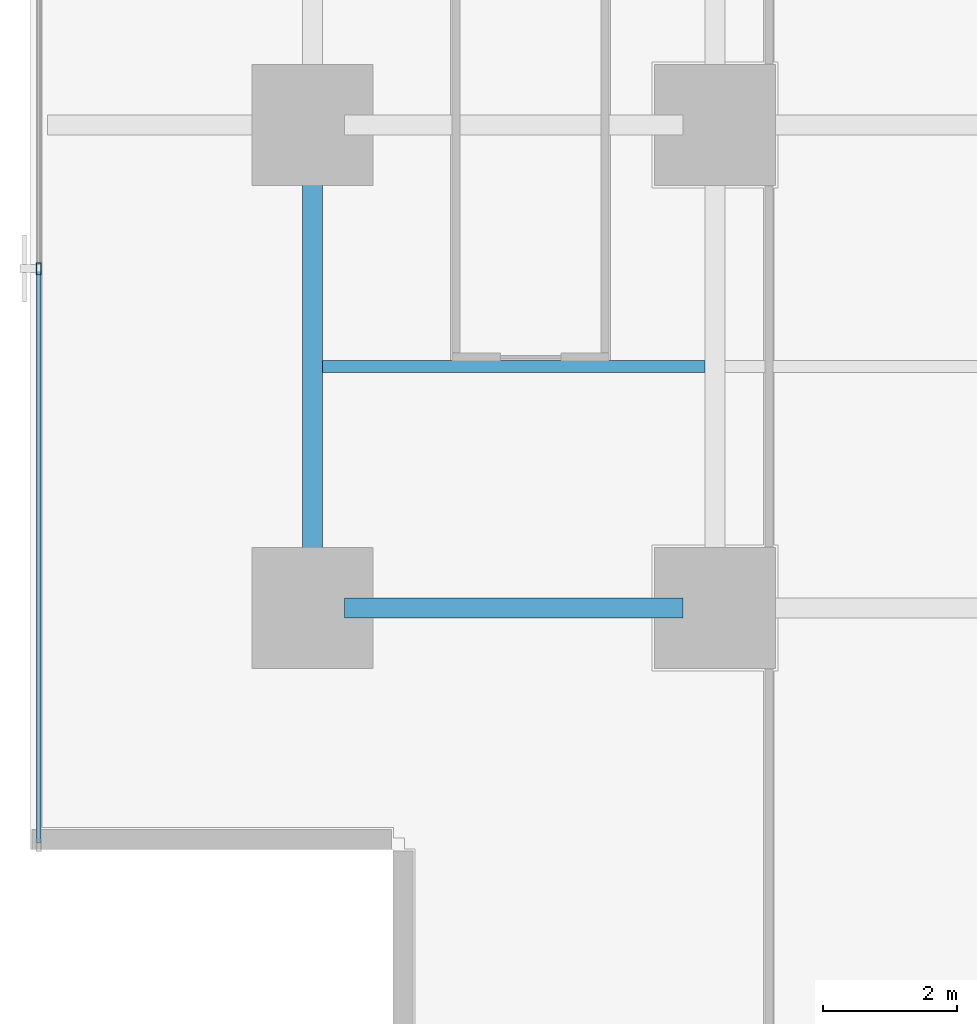
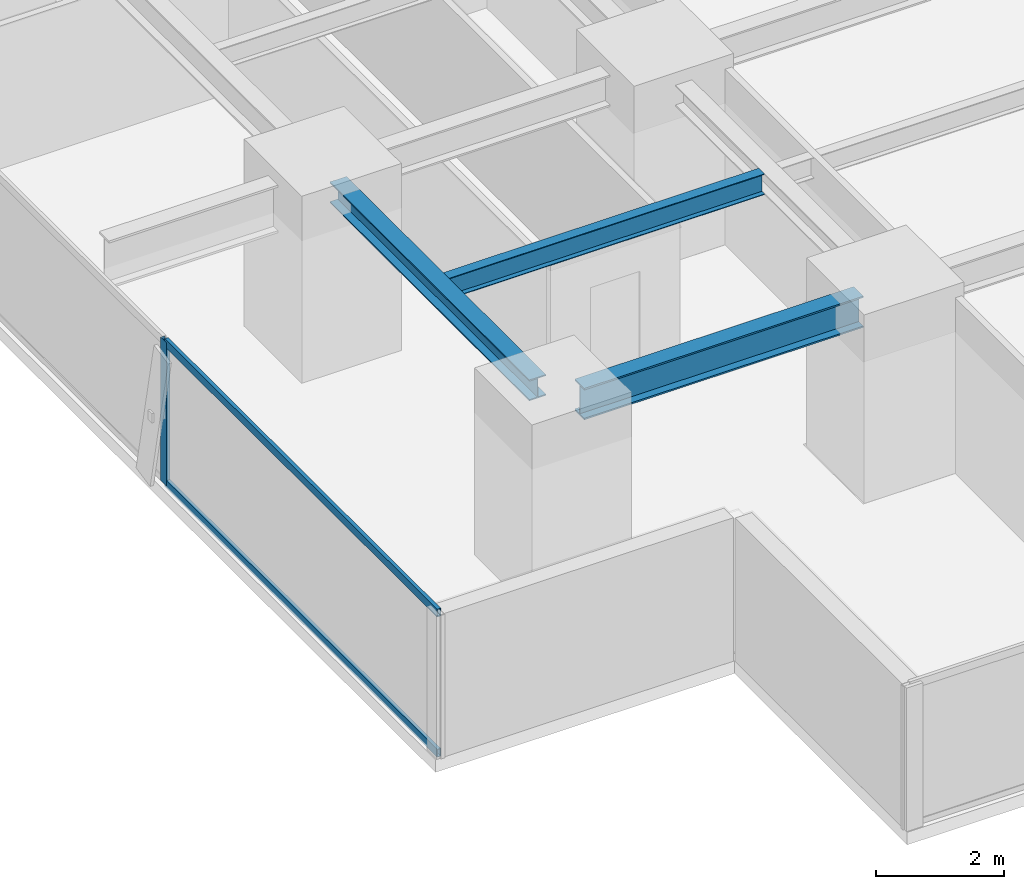
# One storey, part 3 of 33: 3 beams, 3 members, 1 element without a shape of its own.
"""IFC4 building model written with IfcOpenShell, lengths in metres."""

from ifc_helpers import new_model, si_unit, direction, frame, origin, origin_2d, place, context, subcontext, project, spatial, hollow_rectangle, i_section, extrude, source, transform, mapped, material, layer, layer_set, material_profile, profile_set, type_object, element, aggregate, save


model = new_model("IFC4")

# Units and contexts
model_context = context("Model", 3, precision=1e-05, world=origin(), true_north=direction((0.0, 1.0)))
body_context = subcontext(model_context, "Body", "Model", "MODEL_VIEW")
ifc_project = project(units=[si_unit("LENGTHUNIT", "METRE"), si_unit("AREAUNIT", "SQUARE_METRE"), si_unit("VOLUMEUNIT", "CUBIC_METRE"), si_unit("PLANEANGLEUNIT", "RADIAN"), si_unit("MASSUNIT", "GRAM", prefix="KILO")], contexts=[model_context])

# Site, building, storey
site_placement = place(None, origin())
site = spatial("IfcSite", under=ifc_project, at=site_placement, CompositionType="ELEMENT")
building_placement = place(site_placement, origin())
building = spatial("IfcBuilding", under=site, at=building_placement, Name="Sumidabori Civic Tower", CompositionType="ELEMENT")
storey_placement = place(building_placement, frame((0.0, 0.0, 27.199951171875)))
storey = spatial("IfcBuildingStorey", under=building, at=storey_placement, Name="L06", CompositionType="ELEMENT", Elevation=27.199951171875)

# Beams
ifc_material_1 = material(Name="Steel SN490", Category="steel")
ifc_material_profile_1 = material_profile(ifc_material_1, i_section(OverallWidth=0.300048828125, OverallDepth=0.60009765625, WebThickness=0.015380859375, FlangeThickness=0.030029296875, at=origin_2d()), Name="HE 600 B")
ifc_profile_set_1 = profile_set([ifc_material_profile_1], Name="Steel SN490")
beam_type_1 = type_object("IfcBeamType", Name="BM-GIRD-600", PredefinedType="BEAM", material=ifc_profile_set_1)
shared_shape_1 = source(origin(), body_context, "Body", "SweptSolid", [
    extrude(i_section(OverallWidth=0.300048828125, OverallDepth=0.60009765625, WebThickness=0.015380859375, FlangeThickness=0.030029296875, at=origin_2d()), origin(), (0.0, 0.0, 1.0), 5.0400390625),
])
beam_1_placement = place(storey_placement, frame((-22.320068359375, -18.0, 3.06005859375), z_axis=(1.0, 0.0, 0.0), x_axis=(0.0, 1.0, 0.0)))
element("IfcBeam", 1, at=beam_1_placement, inside=storey, type_object=beam_type_1, Name="Primary Girder L06 GX-01", PredefinedType="BEAM", context=body_context, shape_type="MappedRepresentation", body=[
    mapped(shared_shape_1, transform((0.0, 0.0, 0.0), x_axis=(1.0, 0.0, 0.0), y_axis=(0.0, 1.0, 0.0), z_axis=(0.0, 0.0, 1.0), scale=1.0)),
])
ifc_material_profile_2 = material_profile(ifc_material_1, i_section(OverallWidth=0.300048828125, OverallDepth=0.39990234375, WebThickness=0.013427734375, FlangeThickness=0.02392578125, at=origin_2d()), Name="HE 400 B")
ifc_profile_set_2 = profile_set([ifc_material_profile_2], Name="Steel SN490")
beam_type_2 = type_object("IfcBeamType", Name="BM-GIRD-400", PredefinedType="BEAM", material=ifc_profile_set_2)
shared_shape_2 = source(origin(), body_context, "Body", "SweptSolid", [
    extrude(i_section(OverallWidth=0.300048828125, OverallDepth=0.39990234375, WebThickness=0.013427734375, FlangeThickness=0.02392578125, at=origin_2d()), origin(), (0.0, 0.0, 1.0), 6.239990234375),
])
beam_2_placement = place(storey_placement, frame((-22.800048828125, -17.52001953125, 3.16015625), z_axis=(0.0, 1.0, 0.0), x_axis=(-1.0, 0.0, 0.0)))
element("IfcBeam", 2, at=beam_2_placement, inside=storey, type_object=beam_type_2, Name="Primary Girder L06 GY-21", PredefinedType="BEAM", context=body_context, shape_type="MappedRepresentation", body=[
    mapped(shared_shape_2, transform((0.0, 0.0, 0.0), x_axis=(1.0, 0.0, 0.0), y_axis=(0.0, 1.0, 0.0), z_axis=(0.0, 0.0, 1.0), scale=1.0)),
])
ifc_material_profile_3 = material_profile(ifc_material_1, i_section(OverallWidth=0.179931640625, OverallDepth=0.39990234375, WebThickness=0.008544921875, FlangeThickness=0.013427734375, at=origin_2d()), Name="IPE 400")
ifc_profile_set_3 = profile_set([ifc_material_profile_3], Name="Steel SN490")
beam_type_3 = type_object("IfcBeamType", Name="BM-JST-400", PredefinedType="JOIST", material=ifc_profile_set_3)
shared_shape_3 = source(origin(), body_context, "Body", "SweptSolid", [
    extrude(i_section(OverallWidth=0.179931640625, OverallDepth=0.39990234375, WebThickness=0.008544921875, FlangeThickness=0.013427734375, at=origin_2d()), origin(), (0.0, 0.0, 1.0), 5.699951171875),
])
beam_3_placement = place(storey_placement, frame((-22.64990234375, -14.39990234375, 3.16015625), z_axis=(1.0, 0.0, 0.0), x_axis=(0.0, 1.0, 0.0)))
element("IfcBeam", 3, at=beam_3_placement, inside=storey, type_object=beam_type_3, Name="Outer Bay Floor Joist L06 JSTO-57", PredefinedType="JOIST", context=body_context, shape_type="MappedRepresentation", body=[
    mapped(shared_shape_3, transform((0.0, 0.0, 0.0), x_axis=(1.0, 0.0, 0.0), y_axis=(0.0, 1.0, 0.0), z_axis=(0.0, 0.0, 1.0), scale=1.0)),
])

# Curtain wall, members
ifc_material_2 = material(Name="Anodised Bronze Aluminium AW-6063-T6", Category="aluminium")
ifc_layer = layer(ifc_material_2, 0.179931640625, Name="Anodised Bronze Aluminium AW-6063-T6")
ifc_layer_set = layer_set([ifc_layer], Name="Anodised Bronze Aluminium AW-6063-T6")
curtain_wall_type = type_object("IfcCurtainWallType", Name="CW-SYS-2", PredefinedType="NOTDEFINED", material=ifc_layer_set)
curtain_wall_placement = place(storey_placement, origin())
curtain_wall = element("IfcCurtainWall", 4, at=curtain_wall_placement, inside=storey, type_object=curtain_wall_type, Name="Curtain Wall CW:L06:R10", PredefinedType="NOTDEFINED")
ifc_material_profile_4 = material_profile(ifc_material_2, hollow_rectangle(XDim=0.070068359375, YDim=0.179931640625, WallThickness=0.006103515625, at=origin_2d()), Name="ALU MULLION 180x70")
ifc_profile_set_4 = profile_set([ifc_material_profile_4], Name="Anodised Bronze Aluminium AW-6063-T6")
member_type_1 = type_object("IfcMemberType", Name="CW-MUL-180", PredefinedType="MULLION", material=ifc_profile_set_4)
shared_shape_4 = source(origin(), body_context, "Body", "SweptSolid", [
    extrude(hollow_rectangle(XDim=0.070068359375, YDim=0.179931640625, WallThickness=0.006103515625, at=origin_2d()), origin(), (0.0, 0.0, 1.0), 2.739990234375),
])
member_1_placement = place(storey_placement, frame((-26.8798828125, -12.94189453125, 0.0), z_axis=(0.0, 0.0, 1.0), x_axis=(1.0, 0.0, 0.0)))
member_1 = element("IfcMember", 5, at=member_1_placement, type_object=member_type_1, Name="CW-2 mullion 5", PredefinedType="MULLION", context=body_context, shape_type="MappedRepresentation", body=[
    mapped(shared_shape_4, transform((0.0, 0.0, 0.0), x_axis=(1.0, 0.0, 0.0), y_axis=(0.0, 1.0, 0.0), z_axis=(0.0, 0.0, 1.0), scale=1.0)),
])
ifc_material_profile_5 = material_profile(ifc_material_2, hollow_rectangle(XDim=0.06494140625, YDim=0.14990234375, WallThickness=0.0048828125, at=origin_2d()), Name="ALU TRANSOM 150x65")
ifc_profile_set_5 = profile_set([ifc_material_profile_5], Name="Anodised Bronze Aluminium AW-6063-T6")
member_type_2 = type_object("IfcMemberType", Name="CW-TRN-150", PredefinedType="USERDEFINED", material=ifc_profile_set_5)
shared_shape_5 = source(origin(), body_context, "Body", "SweptSolid", [
    extrude(hollow_rectangle(XDim=0.06494140625, YDim=0.14990234375, WallThickness=0.0048828125, at=origin_2d()), origin(), (0.0, 0.0, 1.0), 8.52294921875),
])
member_2_placement = place(storey_placement, frame((-26.8798828125, -12.97705078125, 0.032470703125), z_axis=(0.0, -1.0, 0.0), x_axis=(1.0, 0.0, 0.0)))
member_2 = element("IfcMember", 6, at=member_2_placement, type_object=member_type_2, Name="CW-2 transom 5.1", ObjectType="TRANSOM", PredefinedType="USERDEFINED", context=body_context, shape_type="MappedRepresentation", body=[
    mapped(shared_shape_5, transform((0.0, 0.0, 0.0), x_axis=(1.0, 0.0, 0.0), y_axis=(0.0, 1.0, 0.0), z_axis=(0.0, 0.0, 1.0), scale=1.0)),
])
member_3_placement = place(storey_placement, frame((-26.8798828125, -12.97705078125, 2.70751953125), z_axis=(0.0, -1.0, 0.0), x_axis=(1.0, 0.0, 0.0)))
member_3 = element("IfcMember", 7, at=member_3_placement, type_object=member_type_2, Name="CW-2 transom 5.2", ObjectType="TRANSOM", PredefinedType="USERDEFINED", context=body_context, shape_type="MappedRepresentation", body=[
    mapped(shared_shape_5, transform((0.0, 0.0, 0.0), x_axis=(1.0, 0.0, 0.0), y_axis=(0.0, 1.0, 0.0), z_axis=(0.0, 0.0, 1.0), scale=1.0)),
])
aggregate(curtain_wall, [member_1, member_2, member_3])

save(model, "model.ifc")
